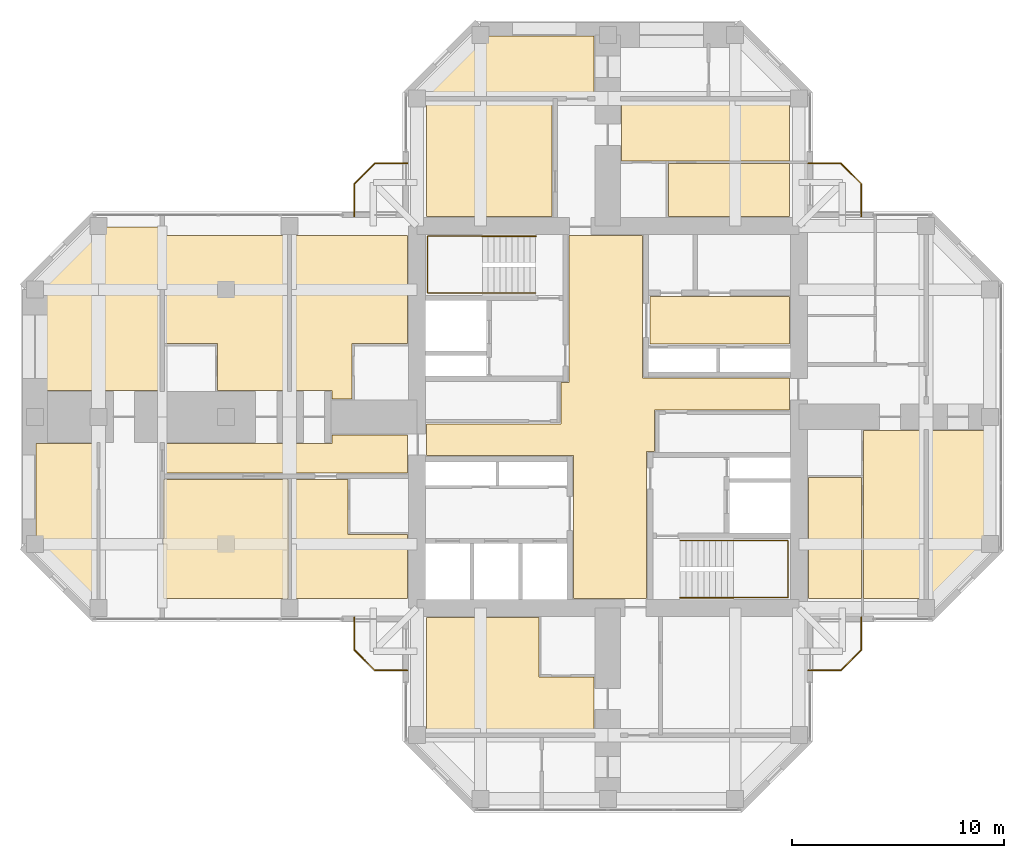
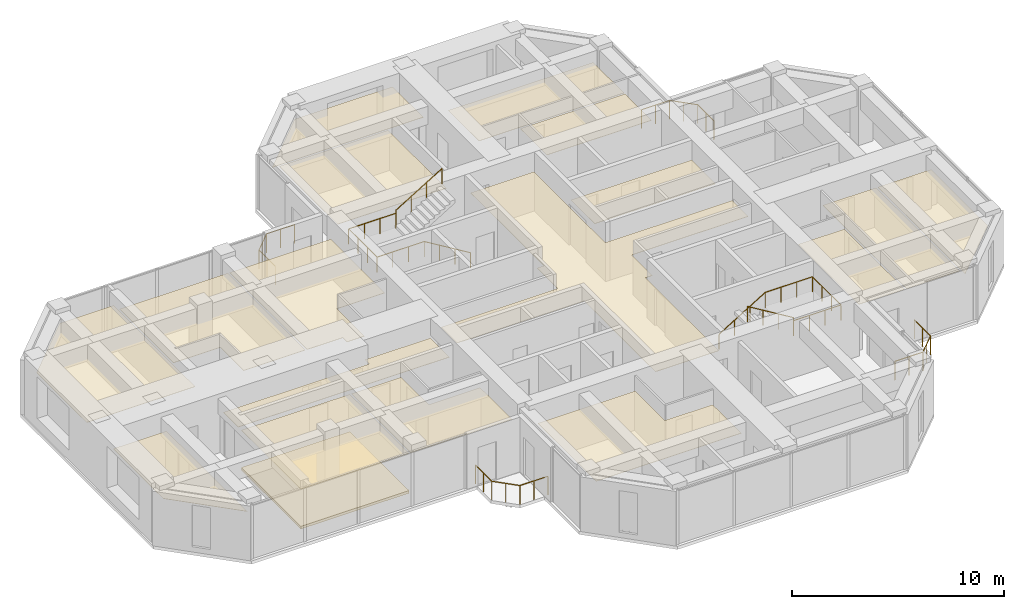
# One storey, part 13 of 13: 18 coverings, 8 railings.
"""IFC4 building model written with IfcOpenShell, lengths in metres."""

from ifc_helpers import new_model, si_unit, direction, frame, origin, origin_2d, place, context, subcontext, project, spatial, polyline, circle, outline, extrude, material, layer, layer_set, constituent, constituent_set, type_object, element, save


model = new_model("IFC4")

# Units and contexts
model_context = context("Model", 3, precision=1e-05, world=origin(), true_north=direction((0.0, 1.0)))
body_context = subcontext(model_context, "Body", "Model", "MODEL_VIEW")
ifc_project = project(units=[si_unit("LENGTHUNIT", "METRE"), si_unit("AREAUNIT", "SQUARE_METRE"), si_unit("VOLUMEUNIT", "CUBIC_METRE"), si_unit("PLANEANGLEUNIT", "RADIAN"), si_unit("MASSUNIT", "GRAM", prefix="KILO")], contexts=[model_context])

# Site, building, storey
site_placement = place(None, origin())
site = spatial("IfcSite", under=ifc_project, at=site_placement, CompositionType="ELEMENT")
building_placement = place(site_placement, origin())
building = spatial("IfcBuilding", under=site, at=building_placement, Name="Torre Cruceta", CompositionType="ELEMENT")
storey_placement = place(building_placement, frame((0.0, 0.0, 249.300048828125)))
storey = spatial("IfcBuildingStorey", under=building, at=storey_placement, Name="L64", CompositionType="ELEMENT", Elevation=249.300048828125)

# Railings
ifc_material_1 = material(Name="Stainless steel 1.4401", Category="steel")
ifc_constituent_1 = constituent(ifc_material_1, Name="Frame")
ifc_material_2 = material(Name="Laminated safety glass", Category="glass")
ifc_constituent_2 = constituent(ifc_material_2, Name="Infill")
ifc_constituent_set_1 = constituent_set(constituents=[ifc_constituent_1, ifc_constituent_2], Name="Stainless steel and laminated glass balustrade")
railing_type_1 = type_object("IfcRailingType", Name="BALCONY BALUSTRADE 1100", PredefinedType="BALUSTRADE", material=ifc_constituent_set_1)
railing_1_placement = place(storey_placement, frame((-9.449951171875, 11.949951171875, 0.0)))
element("IfcRailing", 1, at=railing_1_placement, inside=storey, type_object=railing_type_1, Name="BL1 balcony balustrade L64 N", PredefinedType="BALUSTRADE", context=body_context, shape_type="SweptSolid", body=[
    extrude(circle(Radius=0.02392578125, at=origin_2d()), frame((0.0, 0.0, 1.076171875), z_axis=(-1.0, 0.0, 0.0), x_axis=(0.0, -1.0, 0.0)), (0.0, 0.0, 1.0), 1.529296875),
    extrude(circle(Radius=0.02392578125, at=origin_2d()), frame((-1.529296875, 0.0, 1.076171875), z_axis=(-0.707106781187, -0.707106781187, 0.0), x_axis=(0.707106781187, -0.707106781187, 0.0)), (0.0, 0.0, 1.0), 1.372802734375),
    extrude(circle(Radius=0.02392578125, at=origin_2d()), frame((-2.5, -0.970703125, 1.076171875), z_axis=(0.0, -1.0, 0.0), x_axis=(1.0, 0.0, 0.0)), (0.0, 0.0, 1.0), 1.529296875),
    extrude(circle(Radius=0.02099609375, at=origin_2d()), origin(), (0.0, 0.0, 1.0), 1.052001953125),
    extrude(circle(Radius=0.02099609375, at=origin_2d()), frame((-0.7646484375, 0.0, 0.0)), (0.0, 0.0, 1.0), 1.052001953125),
    extrude(circle(Radius=0.02099609375, at=origin_2d()), frame((-1.529296875, 0.0, 0.0)), (0.0, 0.0, 1.0), 1.052001953125),
    extrude(circle(Radius=0.02099609375, at=origin_2d()), frame((-2.0146484375, -0.4853515625, 0.0)), (0.0, 0.0, 1.0), 1.052001953125),
    extrude(circle(Radius=0.02099609375, at=origin_2d()), frame((-2.5, -0.970703125, 0.0)), (0.0, 0.0, 1.0), 1.052001953125),
    extrude(circle(Radius=0.02099609375, at=origin_2d()), frame((-2.5, -1.7353515625, 0.0)), (0.0, 0.0, 1.0), 1.052001953125),
    extrude(circle(Radius=0.02099609375, at=origin_2d()), frame((-2.5, -2.5, 0.0)), (0.0, 0.0, 1.0), 1.052001953125),
])
railing_2_placement = place(storey_placement, frame((9.449951171875, 11.949951171875, 0.0)))
element("IfcRailing", 2, at=railing_2_placement, inside=storey, type_object=railing_type_1, Name="BL1 balcony balustrade L64 E", PredefinedType="BALUSTRADE", context=body_context, shape_type="SweptSolid", body=[
    extrude(circle(Radius=0.02392578125, at=origin_2d()), frame((0.0, 0.0, 1.076171875), z_axis=(1.0, 0.0, 0.0), x_axis=(0.0, 1.0, 0.0)), (0.0, 0.0, 1.0), 1.529296875),
    extrude(circle(Radius=0.02392578125, at=origin_2d()), frame((1.529296875, 0.0, 1.076171875), z_axis=(0.707106781187, -0.707106781187, 0.0), x_axis=(0.707106781187, 0.707106781187, 0.0)), (0.0, 0.0, 1.0), 1.372802734375),
    extrude(circle(Radius=0.02392578125, at=origin_2d()), frame((2.5, -0.970703125, 1.076171875), z_axis=(0.0, -1.0, 0.0), x_axis=(1.0, 0.0, 0.0)), (0.0, 0.0, 1.0), 1.529296875),
    extrude(circle(Radius=0.02099609375, at=origin_2d()), origin(), (0.0, 0.0, 1.0), 1.052001953125),
    extrude(circle(Radius=0.02099609375, at=origin_2d()), frame((0.7646484375, 0.0, 0.0)), (0.0, 0.0, 1.0), 1.052001953125),
    extrude(circle(Radius=0.02099609375, at=origin_2d()), frame((1.529296875, 0.0, 0.0)), (0.0, 0.0, 1.0), 1.052001953125),
    extrude(circle(Radius=0.02099609375, at=origin_2d()), frame((2.0146484375, -0.4853515625, 0.0)), (0.0, 0.0, 1.0), 1.052001953125),
    extrude(circle(Radius=0.02099609375, at=origin_2d()), frame((2.5, -0.970703125, 0.0)), (0.0, 0.0, 1.0), 1.052001953125),
    extrude(circle(Radius=0.02099609375, at=origin_2d()), frame((2.5, -1.7353515625, 0.0)), (0.0, 0.0, 1.0), 1.052001953125),
    extrude(circle(Radius=0.02099609375, at=origin_2d()), frame((2.5, -2.5, 0.0)), (0.0, 0.0, 1.0), 1.052001953125),
])
railing_3_placement = place(storey_placement, frame((9.449951171875, -11.949951171875, 0.0)))
element("IfcRailing", 3, at=railing_3_placement, inside=storey, type_object=railing_type_1, Name="BL1 balcony balustrade L64 S", PredefinedType="BALUSTRADE", context=body_context, shape_type="SweptSolid", body=[
    extrude(circle(Radius=0.02392578125, at=origin_2d()), frame((0.0, 0.0, 1.076171875), z_axis=(1.0, 0.0, 0.0), x_axis=(0.0, 1.0, 0.0)), (0.0, 0.0, 1.0), 1.529296875),
    extrude(circle(Radius=0.02392578125, at=origin_2d()), frame((1.529296875, 0.0, 1.076171875), z_axis=(0.707106781187, 0.707106781187, 0.0), x_axis=(-0.707106781187, 0.707106781187, 0.0)), (0.0, 0.0, 1.0), 1.372802734375),
    extrude(circle(Radius=0.02392578125, at=origin_2d()), frame((2.5, 0.970703125, 1.076171875), z_axis=(0.0, 1.0, 0.0), x_axis=(-1.0, 0.0, 0.0)), (0.0, 0.0, 1.0), 1.529296875),
    extrude(circle(Radius=0.02099609375, at=origin_2d()), origin(), (0.0, 0.0, 1.0), 1.052001953125),
    extrude(circle(Radius=0.02099609375, at=origin_2d()), frame((0.7646484375, 0.0, 0.0)), (0.0, 0.0, 1.0), 1.052001953125),
    extrude(circle(Radius=0.02099609375, at=origin_2d()), frame((1.529296875, 0.0, 0.0)), (0.0, 0.0, 1.0), 1.052001953125),
    extrude(circle(Radius=0.02099609375, at=origin_2d()), frame((2.0146484375, 0.4853515625, 0.0)), (0.0, 0.0, 1.0), 1.052001953125),
    extrude(circle(Radius=0.02099609375, at=origin_2d()), frame((2.5, 0.970703125, 0.0)), (0.0, 0.0, 1.0), 1.052001953125),
    extrude(circle(Radius=0.02099609375, at=origin_2d()), frame((2.5, 1.7353515625, 0.0)), (0.0, 0.0, 1.0), 1.052001953125),
    extrude(circle(Radius=0.02099609375, at=origin_2d()), frame((2.5, 2.5, 0.0)), (0.0, 0.0, 1.0), 1.052001953125),
])
railing_4_placement = place(storey_placement, frame((-9.449951171875, -11.949951171875, 0.0)))
element("IfcRailing", 4, at=railing_4_placement, inside=storey, type_object=railing_type_1, Name="BL1 balcony balustrade L64 W", PredefinedType="BALUSTRADE", context=body_context, shape_type="SweptSolid", body=[
    extrude(circle(Radius=0.02392578125, at=origin_2d()), frame((0.0, 0.0, 1.076171875), z_axis=(-1.0, 0.0, 0.0), x_axis=(0.0, -1.0, 0.0)), (0.0, 0.0, 1.0), 1.529296875),
    extrude(circle(Radius=0.02392578125, at=origin_2d()), frame((-1.529296875, 0.0, 1.076171875), z_axis=(-0.707106781187, 0.707106781187, 0.0), x_axis=(-0.707106781187, -0.707106781187, 0.0)), (0.0, 0.0, 1.0), 1.372802734375),
    extrude(circle(Radius=0.02392578125, at=origin_2d()), frame((-2.5, 0.970703125, 1.076171875), z_axis=(0.0, 1.0, 0.0), x_axis=(-1.0, 0.0, 0.0)), (0.0, 0.0, 1.0), 1.529296875),
    extrude(circle(Radius=0.02099609375, at=origin_2d()), origin(), (0.0, 0.0, 1.0), 1.052001953125),
    extrude(circle(Radius=0.02099609375, at=origin_2d()), frame((-0.7646484375, 0.0, 0.0)), (0.0, 0.0, 1.0), 1.052001953125),
    extrude(circle(Radius=0.02099609375, at=origin_2d()), frame((-1.529296875, 0.0, 0.0)), (0.0, 0.0, 1.0), 1.052001953125),
    extrude(circle(Radius=0.02099609375, at=origin_2d()), frame((-2.0146484375, 0.4853515625, 0.0)), (0.0, 0.0, 1.0), 1.052001953125),
    extrude(circle(Radius=0.02099609375, at=origin_2d()), frame((-2.5, 0.970703125, 0.0)), (0.0, 0.0, 1.0), 1.052001953125),
    extrude(circle(Radius=0.02099609375, at=origin_2d()), frame((-2.5, 1.7353515625, 0.0)), (0.0, 0.0, 1.0), 1.052001953125),
    extrude(circle(Radius=0.02099609375, at=origin_2d()), frame((-2.5, 2.5, 0.0)), (0.0, 0.0, 1.0), 1.052001953125),
])
ifc_material_3 = material(Name="Stainless steel 1.4401", Category="steel")
railing_type_2 = type_object("IfcRailingType", Name="HANDRAIL 900", PredefinedType="HANDRAIL", material=ifc_material_3)
railing_5_placement = place(storey_placement, frame((-3.39990234375, 5.8349609375, 0.169921875)))
element("IfcRailing", 5, at=railing_5_placement, inside=storey, type_object=railing_type_2, Name="Handrail HR1 ST1 L64", PredefinedType="HANDRAIL", context=body_context, shape_type="SweptSolid", body=[
    extrude(circle(Radius=0.02392578125, at=origin_2d()), frame((0.0, 0.0, 0.8759765625), z_axis=(-0.85478489116, 0.0, 0.518982456201), x_axis=(0.0, -1.0, 0.0)), (0.0, 0.0, 1.0), 2.9482421875),
    extrude(circle(Radius=0.02392578125, at=origin_2d()), frame((-2.52001953125, 0.0, 2.40576171875), z_axis=(-1.0, 0.0, 0.0), x_axis=(0.0, -1.0, 0.0)), (0.0, 0.0, 1.0), 2.570068359375),
    extrude(circle(Radius=0.02392578125, at=origin_2d()), frame((-5.090087890625, 0.0, 2.40576171875), z_axis=(0.0, 1.0, 0.0), x_axis=(-1.0, 0.0, 0.0)), (0.0, 0.0, 1.0), 2.679931640625),
    extrude(circle(Radius=0.02392578125, at=origin_2d()), frame((-5.090087890625, 2.679931640625, 2.40576171875), z_axis=(1.0, 0.0, 0.0), x_axis=(0.0, 1.0, 0.0)), (0.0, 0.0, 1.0), 2.570068359375),
    extrude(circle(Radius=0.02099609375, at=origin_2d()), origin(), (0.0, 0.0, 1.0), 0.851806640625),
    extrude(circle(Radius=0.02099609375, at=origin_2d()), frame((-0.840087890625, 0.0, 0.510009765625)), (0.0, 0.0, 1.0), 0.851806640625),
    extrude(circle(Radius=0.02099609375, at=origin_2d()), frame((-1.679931640625, 0.0, 1.02001953125)), (0.0, 0.0, 1.0), 0.851806640625),
    extrude(circle(Radius=0.02099609375, at=origin_2d()), frame((-2.52001953125, 0.0, 1.530029296875)), (0.0, 0.0, 1.0), 0.851806640625),
    extrude(circle(Radius=0.02099609375, at=origin_2d()), frame((-3.376708984375, 0.0, 1.530029296875)), (0.0, 0.0, 1.0), 0.851806640625),
    extrude(circle(Radius=0.02099609375, at=origin_2d()), frame((-4.2333984375, 0.0, 1.530029296875)), (0.0, 0.0, 1.0), 0.851806640625),
    extrude(circle(Radius=0.02099609375, at=origin_2d()), frame((-5.090087890625, 0.0, 1.530029296875)), (0.0, 0.0, 1.0), 0.851806640625),
    extrude(circle(Radius=0.02099609375, at=origin_2d()), frame((-5.090087890625, 0.893310546875, 1.530029296875)), (0.0, 0.0, 1.0), 0.851806640625),
    extrude(circle(Radius=0.02099609375, at=origin_2d()), frame((-5.090087890625, 1.78662109375, 1.530029296875)), (0.0, 0.0, 1.0), 0.851806640625),
    extrude(circle(Radius=0.02099609375, at=origin_2d()), frame((-5.090087890625, 2.679931640625, 1.530029296875)), (0.0, 0.0, 1.0), 0.851806640625),
    extrude(circle(Radius=0.02099609375, at=origin_2d()), frame((-4.2333984375, 2.679931640625, 1.530029296875)), (0.0, 0.0, 1.0), 0.851806640625),
    extrude(circle(Radius=0.02099609375, at=origin_2d()), frame((-3.376708984375, 2.679931640625, 1.530029296875)), (0.0, 0.0, 1.0), 0.851806640625),
    extrude(circle(Radius=0.02099609375, at=origin_2d()), frame((-2.52001953125, 2.679931640625, 1.530029296875)), (0.0, 0.0, 1.0), 0.851806640625),
])
railing_6_placement = place(storey_placement, frame((-5.919921875, 8.514892578125, 1.869873046875)))
element("IfcRailing", 6, at=railing_6_placement, inside=storey, type_object=railing_type_2, Name="Handrail HR1 ST1 L64", PredefinedType="HANDRAIL", context=body_context, shape_type="SweptSolid", body=[
    extrude(circle(Radius=0.02392578125, at=origin_2d()), frame((0.0, 0.0, 0.8759765625), z_axis=(0.85478489116, 0.0, 0.518982456201), x_axis=(0.0, 1.0, 0.0)), (0.0, 0.0, 1.0), 2.9482421875),
    extrude(circle(Radius=0.02099609375, at=origin_2d()), origin(), (0.0, 0.0, 1.0), 0.851806640625),
    extrude(circle(Radius=0.02099609375, at=origin_2d()), frame((0.840087890625, 0.0, 0.510009765625)), (0.0, 0.0, 1.0), 0.851806640625),
    extrude(circle(Radius=0.02099609375, at=origin_2d()), frame((1.679931640625, 0.0, 1.02001953125)), (0.0, 0.0, 1.0), 0.851806640625),
    extrude(circle(Radius=0.02099609375, at=origin_2d()), frame((2.52001953125, 0.0, 1.530029296875)), (0.0, 0.0, 1.0), 0.851806640625),
])
railing_7_placement = place(storey_placement, frame((3.39990234375, -5.8349609375, 0.169921875)))
element("IfcRailing", 7, at=railing_7_placement, inside=storey, type_object=railing_type_2, Name="Handrail HR1 ST2 L64", PredefinedType="HANDRAIL", context=body_context, shape_type="SweptSolid", body=[
    extrude(circle(Radius=0.02392578125, at=origin_2d()), frame((0.0, 0.0, 0.8759765625), z_axis=(0.85478489116, 0.0, 0.518982456201), x_axis=(0.0, 1.0, 0.0)), (0.0, 0.0, 1.0), 2.9482421875),
    extrude(circle(Radius=0.02392578125, at=origin_2d()), frame((2.52001953125, 0.0, 2.40576171875), z_axis=(1.0, 0.0, 0.0), x_axis=(0.0, 1.0, 0.0)), (0.0, 0.0, 1.0), 2.570068359375),
    extrude(circle(Radius=0.02392578125, at=origin_2d()), frame((5.090087890625, 0.0, 2.40576171875), z_axis=(0.0, -1.0, 0.0), x_axis=(1.0, 0.0, 0.0)), (0.0, 0.0, 1.0), 2.679931640625),
    extrude(circle(Radius=0.02392578125, at=origin_2d()), frame((5.090087890625, -2.679931640625, 2.40576171875), z_axis=(-1.0, 0.0, 0.0), x_axis=(0.0, -1.0, 0.0)), (0.0, 0.0, 1.0), 2.570068359375),
    extrude(circle(Radius=0.02099609375, at=origin_2d()), origin(), (0.0, 0.0, 1.0), 0.851806640625),
    extrude(circle(Radius=0.02099609375, at=origin_2d()), frame((0.840087890625, 0.0, 0.510009765625)), (0.0, 0.0, 1.0), 0.851806640625),
    extrude(circle(Radius=0.02099609375, at=origin_2d()), frame((1.679931640625, 0.0, 1.02001953125)), (0.0, 0.0, 1.0), 0.851806640625),
    extrude(circle(Radius=0.02099609375, at=origin_2d()), frame((2.52001953125, 0.0, 1.530029296875)), (0.0, 0.0, 1.0), 0.851806640625),
    extrude(circle(Radius=0.02099609375, at=origin_2d()), frame((3.376708984375, 0.0, 1.530029296875)), (0.0, 0.0, 1.0), 0.851806640625),
    extrude(circle(Radius=0.02099609375, at=origin_2d()), frame((4.2333984375, 0.0, 1.530029296875)), (0.0, 0.0, 1.0), 0.851806640625),
    extrude(circle(Radius=0.02099609375, at=origin_2d()), frame((5.090087890625, 0.0, 1.530029296875)), (0.0, 0.0, 1.0), 0.851806640625),
    extrude(circle(Radius=0.02099609375, at=origin_2d()), frame((5.090087890625, -0.893310546875, 1.530029296875)), (0.0, 0.0, 1.0), 0.851806640625),
    extrude(circle(Radius=0.02099609375, at=origin_2d()), frame((5.090087890625, -1.78662109375, 1.530029296875)), (0.0, 0.0, 1.0), 0.851806640625),
    extrude(circle(Radius=0.02099609375, at=origin_2d()), frame((5.090087890625, -2.679931640625, 1.530029296875)), (0.0, 0.0, 1.0), 0.851806640625),
    extrude(circle(Radius=0.02099609375, at=origin_2d()), frame((4.2333984375, -2.679931640625, 1.530029296875)), (0.0, 0.0, 1.0), 0.851806640625),
    extrude(circle(Radius=0.02099609375, at=origin_2d()), frame((3.376708984375, -2.679931640625, 1.530029296875)), (0.0, 0.0, 1.0), 0.851806640625),
    extrude(circle(Radius=0.02099609375, at=origin_2d()), frame((2.52001953125, -2.679931640625, 1.530029296875)), (0.0, 0.0, 1.0), 0.851806640625),
])
railing_8_placement = place(storey_placement, frame((5.919921875, -8.514892578125, 1.869873046875)))
element("IfcRailing", 8, at=railing_8_placement, inside=storey, type_object=railing_type_2, Name="Handrail HR1 ST2 L64", PredefinedType="HANDRAIL", context=body_context, shape_type="SweptSolid", body=[
    extrude(circle(Radius=0.02392578125, at=origin_2d()), frame((0.0, 0.0, 0.8759765625), z_axis=(-0.85478489116, 0.0, 0.518982456201), x_axis=(0.0, -1.0, 0.0)), (0.0, 0.0, 1.0), 2.9482421875),
    extrude(circle(Radius=0.02099609375, at=origin_2d()), origin(), (0.0, 0.0, 1.0), 0.851806640625),
    extrude(circle(Radius=0.02099609375, at=origin_2d()), frame((-0.840087890625, 0.0, 0.510009765625)), (0.0, 0.0, 1.0), 0.851806640625),
    extrude(circle(Radius=0.02099609375, at=origin_2d()), frame((-1.679931640625, 0.0, 1.02001953125)), (0.0, 0.0, 1.0), 0.851806640625),
    extrude(circle(Radius=0.02099609375, at=origin_2d()), frame((-2.52001953125, 0.0, 1.530029296875)), (0.0, 0.0, 1.0), 0.851806640625),
])

# Coverings
ifc_material_4 = material(Name="Steel DX51D", Category="steel")
ifc_constituent_3 = constituent(ifc_material_4, Name="Panel casing")
ifc_material_5 = material(Name="Calcium sulphate", Category="gypsum")
ifc_constituent_4 = constituent(ifc_material_5, Name="Panel core")
ifc_constituent_set_2 = constituent_set(constituents=[ifc_constituent_3, ifc_constituent_4], Name="Raised access floor panel")
covering_type_1 = type_object("IfcCoveringType", Name="RAISED ACCESS FLOOR 150", PredefinedType="FLOORING", material=ifc_constituent_set_2)
covering_1_placement = place(storey_placement, origin())
element("IfcCovering", 9, at=covering_1_placement, inside=storey, type_object=covering_type_1, Name="Raised floor L64-052", PredefinedType="FLOORING", context=body_context, shape_type="SweptSolid", body=[
    extrude(outline(polyline([(-15.050048828125, -2.949951171875), (-15.050048828125, -8.550048828125), (-20.949951171875, -8.550048828125), (-20.949951171875, -2.949951171875), (-15.050048828125, -2.949951171875)])), origin(), (0.0, 0.0, 1.0), 0.14990234375),
])
ifc_material_6 = material(Name="Mineral fibre ceiling tile", Category="gypsum")
ifc_layer = layer(ifc_material_6, 0.02001953125)
ifc_layer_set = layer_set([ifc_layer], Name="Mineral fibre ceiling tile")
covering_type_2 = type_object("IfcCoveringType", Name="SUSPENDED CEILING 20", PredefinedType="CEILING", material=ifc_layer_set)
covering_2_placement = place(storey_placement, frame((0.0, 0.0, 2.280029296875)))
element("IfcCovering", 10, at=covering_2_placement, inside=storey, type_object=covering_type_2, Name="Ceiling L64-003", PredefinedType="CEILING", context=body_context, shape_type="SweptSolid", body=[
    extrude(outline(polyline([(1.824951171875, -8.550048828125), (-1.625, -8.550048828125), (-1.625, -1.824951171875), (-8.550048828125, -1.824951171875), (-8.550048828125, -0.324951171875), (-2.199951171875, -0.324951171875), (-2.199951171875, 1.625), (-1.824951171875, 1.625), (-1.824951171875, 8.550048828125), (1.625, 8.550048828125), (1.625, 1.824951171875), (8.550048828125, 1.824951171875), (8.550048828125, 0.324951171875), (2.199951171875, 0.324951171875), (2.199951171875, -1.625), (1.824951171875, -1.625), (1.824951171875, -8.550048828125)])), origin(), (0.0, 0.0, 1.0), 0.02001953125),
])
covering_3_placement = place(storey_placement, frame((0.0, 0.0, 2.280029296875)))
element("IfcCovering", 11, at=covering_3_placement, inside=storey, type_object=covering_type_2, Name="Ceiling L64-006", PredefinedType="CEILING", context=body_context, shape_type="SweptSolid", body=[
    extrude(outline(polyline([(1.97509765625, 3.425048828125), (1.97509765625, 5.675048828125), (8.550048828125, 5.675048828125), (8.550048828125, 3.425048828125), (1.97509765625, 3.425048828125)])), origin(), (0.0, 0.0, 1.0), 0.02001953125),
])
covering_4_placement = place(storey_placement, frame((0.0, 0.0, 2.280029296875)))
element("IfcCovering", 12, at=covering_4_placement, inside=storey, type_object=covering_type_2, Name="Ceiling L64-024", PredefinedType="CEILING", context=body_context, shape_type="SweptSolid", body=[
    extrude(outline(polyline([(-2.625, 9.449951171875), (-8.550048828125, 9.449951171875), (-8.550048828125, 14.949951171875), (-2.625, 14.949951171875), (-2.625, 9.449951171875)])), origin(), (0.0, 0.0, 1.0), 0.02001953125),
])
covering_5_placement = place(storey_placement, frame((0.0, 0.0, 2.280029296875)))
element("IfcCovering", 13, at=covering_5_placement, inside=storey, type_object=covering_type_2, Name="Ceiling L64-025", PredefinedType="CEILING", context=body_context, shape_type="SweptSolid", body=[
    extrude(outline(polyline([(8.550048828125, 14.949951171875), (8.550048828125, 12.050048828125), (0.64990234375, 12.050048828125), (0.64990234375, 14.949951171875), (8.550048828125, 14.949951171875)])), origin(), (0.0, 0.0, 1.0), 0.02001953125),
])
covering_6_placement = place(storey_placement, frame((0.0, 0.0, 2.280029296875)))
element("IfcCovering", 14, at=covering_6_placement, inside=storey, type_object=covering_type_2, Name="Ceiling L64-026", PredefinedType="CEILING", context=body_context, shape_type="SweptSolid", body=[
    extrude(outline(polyline([(8.550048828125, 9.449951171875), (2.85009765625, 9.449951171875), (2.85009765625, 11.949951171875), (8.550048828125, 11.949951171875), (8.550048828125, 9.449951171875)])), origin(), (0.0, 0.0, 1.0), 0.02001953125),
])
covering_7_placement = place(storey_placement, frame((0.0, 0.0, 2.280029296875)))
element("IfcCovering", 15, at=covering_7_placement, inside=storey, type_object=covering_type_2, Name="Ceiling L64-028", PredefinedType="CEILING", context=body_context, shape_type="SweptSolid", body=[
    extrude(outline(polyline([(-5.979248046875, 17.949951171875), (-0.64990234375, 17.949951171875), (-0.64990234375, 15.050048828125), (-8.87939453125, 15.050048828125), (-5.979248046875, 17.949951171875)])), origin(), (0.0, 0.0, 1.0), 0.02001953125),
])
covering_8_placement = place(storey_placement, frame((0.0, 0.0, 2.280029296875)))
element("IfcCovering", 16, at=covering_8_placement, inside=storey, type_object=covering_type_2, Name="Ceiling L64-035", PredefinedType="CEILING", context=body_context, shape_type="SweptSolid", body=[
    extrude(outline(polyline([(14.949951171875, -8.550048828125), (12.050048828125, -8.550048828125), (12.050048828125, -0.64990234375), (14.949951171875, -0.64990234375), (14.949951171875, -8.550048828125)])), origin(), (0.0, 0.0, 1.0), 0.02001953125),
])
covering_9_placement = place(storey_placement, frame((0.0, 0.0, 2.280029296875)))
element("IfcCovering", 17, at=covering_9_placement, inside=storey, type_object=covering_type_2, Name="Ceiling L64-036", PredefinedType="CEILING", context=body_context, shape_type="SweptSolid", body=[
    extrude(outline(polyline([(9.449951171875, -8.550048828125), (9.449951171875, -2.85009765625), (11.949951171875, -2.85009765625), (11.949951171875, -8.550048828125), (9.449951171875, -8.550048828125)])), origin(), (0.0, 0.0, 1.0), 0.02001953125),
])
covering_10_placement = place(storey_placement, frame((0.0, 0.0, 2.280029296875)))
element("IfcCovering", 18, at=covering_10_placement, inside=storey, type_object=covering_type_2, Name="Ceiling L64-039", PredefinedType="CEILING", context=body_context, shape_type="SweptSolid", body=[
    extrude(outline(polyline([(15.050048828125, -8.87939453125), (15.050048828125, -0.64990234375), (17.949951171875, -0.64990234375), (17.949951171875, -5.979248046875), (15.050048828125, -8.87939453125)])), origin(), (0.0, 0.0, 1.0), 0.02001953125),
])
covering_11_placement = place(storey_placement, frame((0.0, 0.0, 2.280029296875)))
element("IfcCovering", 19, at=covering_11_placement, inside=storey, type_object=covering_type_2, Name="Ceiling L64-042", PredefinedType="CEILING", context=body_context, shape_type="SweptSolid", body=[
    extrude(outline(polyline([(-0.64990234375, -14.949951171875), (-8.550048828125, -14.949951171875), (-8.550048828125, -9.449951171875), (-3.25, -9.449951171875), (-3.25, -12.25), (-0.64990234375, -12.25), (-0.64990234375, -14.949951171875)])), origin(), (0.0, 0.0, 1.0), 0.02001953125),
])
covering_12_placement = place(storey_placement, frame((0.0, 0.0, 2.280029296875)))
element("IfcCovering", 20, at=covering_12_placement, inside=storey, type_object=covering_type_2, Name="Ceiling L64-047", PredefinedType="CEILING", context=body_context, shape_type="SweptSolid", body=[
    extrude(outline(polyline([(-9.449951171875, -0.85009765625), (-9.449951171875, -2.64990234375), (-20.949951171875, -2.64990234375), (-20.949951171875, -1.25), (-13.0, -1.25), (-13.0, -0.85009765625), (-9.449951171875, -0.85009765625)])), origin(), (0.0, 0.0, 1.0), 0.02001953125),
])
covering_13_placement = place(storey_placement, frame((0.0, 0.0, 2.280029296875)))
element("IfcCovering", 21, at=covering_13_placement, inside=storey, type_object=covering_type_2, Name="Ceiling L64-048", PredefinedType="CEILING", context=body_context, shape_type="SweptSolid", body=[
    extrude(outline(polyline([(-9.449951171875, -8.550048828125), (-14.949951171875, -8.550048828125), (-14.949951171875, -2.949951171875), (-12.25, -2.949951171875), (-12.25, -5.550048828125), (-9.449951171875, -5.550048828125), (-9.449951171875, -8.550048828125)])), origin(), (0.0, 0.0, 1.0), 0.02001953125),
])
covering_14_placement = place(storey_placement, frame((0.0, 0.0, 2.280029296875)))
element("IfcCovering", 22, at=covering_14_placement, inside=storey, type_object=covering_type_2, Name="Ceiling L64-050", PredefinedType="CEILING", context=body_context, shape_type="SweptSolid", body=[
    extrude(outline(polyline([(-14.949951171875, 8.550048828125), (-9.449951171875, 8.550048828125), (-9.449951171875, 3.449951171875), (-12.050048828125, 3.449951171875), (-12.050048828125, 0.85009765625), (-13.0, 0.85009765625), (-13.0, 1.25), (-14.949951171875, 1.25), (-14.949951171875, 8.550048828125)])), origin(), (0.0, 0.0, 1.0), 0.02001953125),
])
covering_15_placement = place(storey_placement, frame((0.0, 0.0, 2.280029296875)))
element("IfcCovering", 23, at=covering_15_placement, inside=storey, type_object=covering_type_2, Name="Ceiling L64-052", PredefinedType="CEILING", context=body_context, shape_type="SweptSolid", body=[
    extrude(outline(polyline([(-15.050048828125, -2.949951171875), (-15.050048828125, -8.550048828125), (-20.949951171875, -8.550048828125), (-20.949951171875, -2.949951171875), (-15.050048828125, -2.949951171875)])), origin(), (0.0, 0.0, 1.0), 0.02001953125),
])
covering_16_placement = place(storey_placement, frame((0.0, 0.0, 2.280029296875)))
element("IfcCovering", 24, at=covering_16_placement, inside=storey, type_object=covering_type_2, Name="Ceiling L64-053", PredefinedType="CEILING", context=body_context, shape_type="SweptSolid", body=[
    extrude(outline(polyline([(-15.050048828125, 8.550048828125), (-15.050048828125, 1.25), (-18.39990234375, 1.25), (-18.39990234375, 3.449951171875), (-20.949951171875, 3.449951171875), (-20.949951171875, 8.550048828125), (-15.050048828125, 8.550048828125)])), origin(), (0.0, 0.0, 1.0), 0.02001953125),
])
covering_17_placement = place(storey_placement, frame((0.0, 0.0, 2.280029296875)))
element("IfcCovering", 25, at=covering_17_placement, inside=storey, type_object=covering_type_2, Name="Ceiling L64-056", PredefinedType="CEILING", context=body_context, shape_type="SweptSolid", body=[
    extrude(outline(polyline([(-26.949951171875, -1.25), (-24.050048828125, -1.25), (-24.050048828125, -8.87939453125), (-26.949951171875, -5.979248046875), (-26.949951171875, -1.25)])), origin(), (0.0, 0.0, 1.0), 0.02001953125),
])
covering_18_placement = place(storey_placement, frame((0.0, 0.0, 2.280029296875)))
element("IfcCovering", 26, at=covering_18_placement, inside=storey, type_object=covering_type_2, Name="Ceiling L64-057", PredefinedType="CEILING", context=body_context, shape_type="SweptSolid", body=[
    extrude(outline(polyline([(-23.979248046875, 8.949951171875), (-21.050048828125, 8.949951171875), (-21.050048828125, 1.25), (-26.949951171875, 1.25), (-26.949951171875, 5.979248046875), (-23.979248046875, 8.949951171875)])), origin(), (0.0, 0.0, 1.0), 0.02001953125),
])

save(model, "model.ifc")
